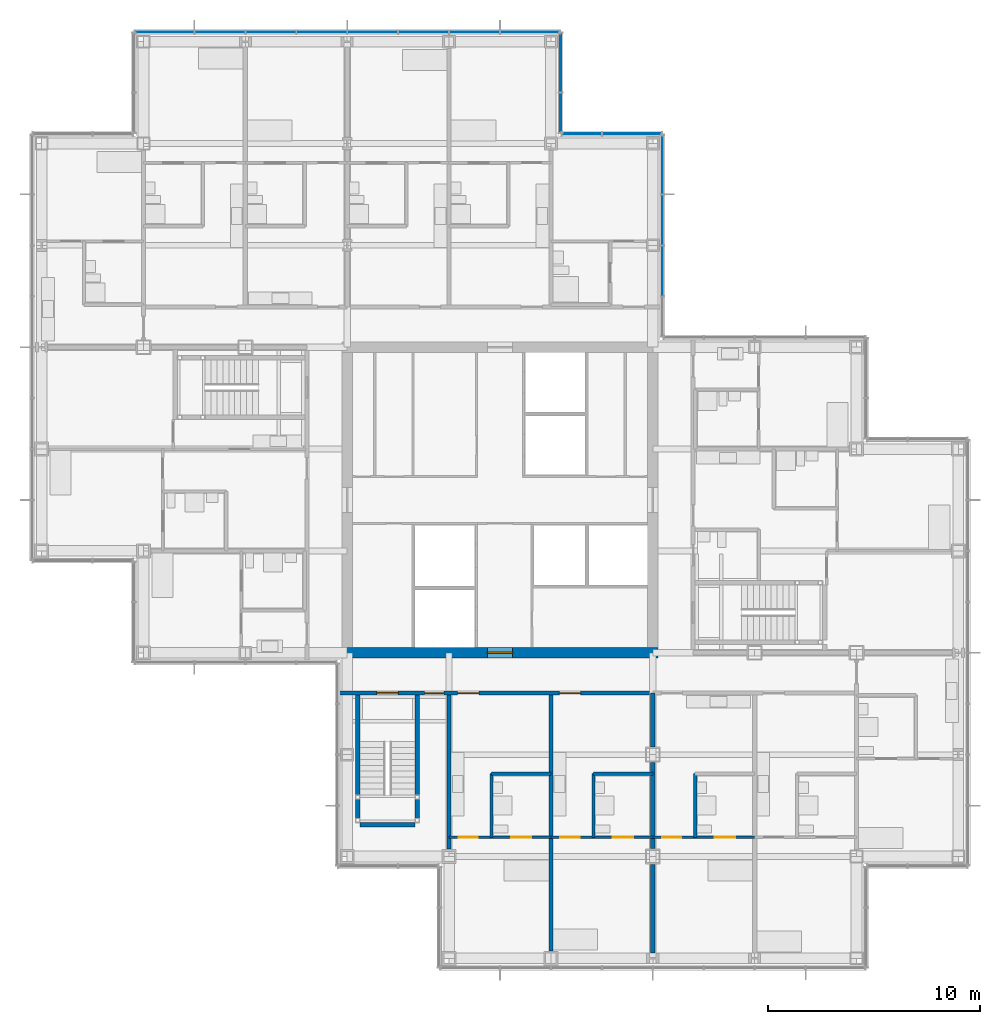
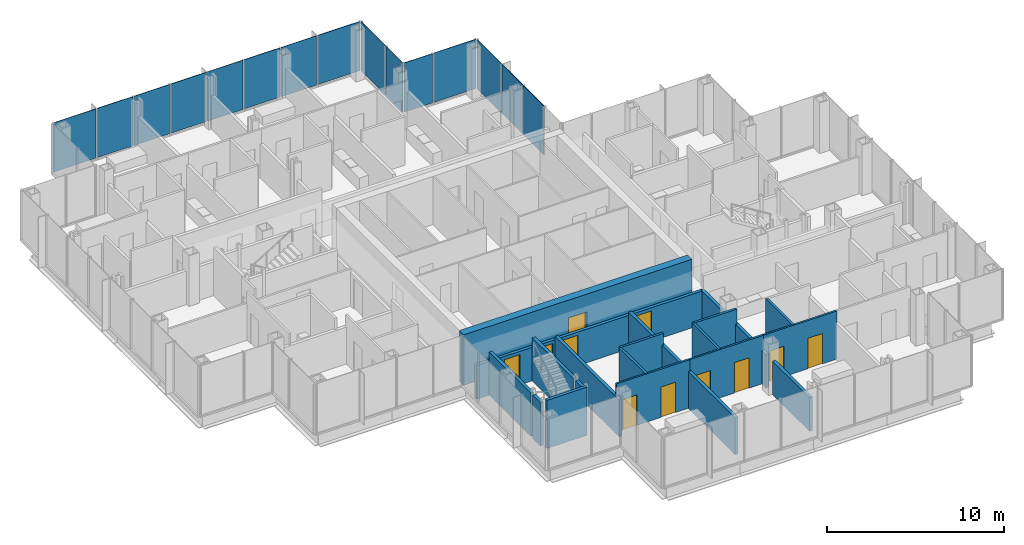
# One storey, part 13 of 20: 20 walls, 15 plates, 11 doors, 11 openings, 4 elements without a shape of their own.
"""IFC4 building model written with IfcOpenShell, lengths in metres."""

from ifc_helpers import new_model, si_unit, direction, frame, frame_2d, origin, origin_2d, place, context, subcontext, project, spatial, rectangle, extrude, material, layer, layer_set, type_object, element, fill, aggregate, save


model = new_model("IFC4")

# Units and contexts
model_context = context("Model", 3, precision=1e-05, world=origin(), true_north=direction((0.0, 1.0)))
body_context = subcontext(model_context, "Body", "Model", "MODEL_VIEW")
ifc_project = project(units=[si_unit("LENGTHUNIT", "METRE"), si_unit("AREAUNIT", "SQUARE_METRE"), si_unit("VOLUMEUNIT", "CUBIC_METRE"), si_unit("PLANEANGLEUNIT", "RADIAN"), si_unit("MASSUNIT", "GRAM", prefix="KILO")], contexts=[model_context])

# Site, building, storey
site_placement = place(None, origin())
site = spatial("IfcSite", under=ifc_project, at=site_placement, CompositionType="ELEMENT")
building_placement = place(site_placement, origin())
building = spatial("IfcBuilding", under=site, at=building_placement, Name="Kvirike Care Tower", CompositionType="ELEMENT")
storey_placement = place(building_placement, frame((0.0, 0.0, 91.0)))
storey = spatial("IfcBuildingStorey", under=building, at=storey_placement, Name="L24", CompositionType="ELEMENT", Elevation=91.0)

# Curtain wall, plates
ifc_material_1 = material(Name="Anodised aluminium stick system", Category="aluminium")
curtain_wall_type = type_object("IfcCurtainWallType", Name="CW-B STICK CURTAIN WALL", PredefinedType="NOTDEFINED", material=ifc_material_1)
curtain_wall_1_placement = place(storey_placement, origin())
curtain_wall_1 = element("IfcCurtainWall", 1, at=curtain_wall_1_placement, inside=storey, type_object=curtain_wall_type, Name="Curtain wall L24 face 5", PredefinedType="NOTDEFINED")
ifc_material_2 = material(Name="Tinted double glazed unit", Category="glass")
ifc_layer_1 = layer(ifc_material_2, 0.035888671875)
ifc_layer_set_1 = layer_set([ifc_layer_1], Name="TINTED VISION PANEL 36")
plate_type = type_object("IfcPlateType", Name="TINTED VISION PANEL 36", PredefinedType="CURTAIN_PANEL", material=ifc_layer_set_1)
plate_1_placement = place(storey_placement, frame((29.260009765625, 46.800048828125, 0.10009765625), z_axis=(0.0, 0.0, 1.0), x_axis=(0.0, 1.0, 0.0)))
plate_1 = element("IfcPlate", 2, at=plate_1_placement, type_object=plate_type, Name="CW-B panel L24 face 5.2", PredefinedType="CURTAIN_PANEL", context=body_context, shape_type="SweptSolid", body=[
    extrude(rectangle(XDim=2.3349609375, YDim=0.035888671875, at=origin_2d()), origin(), (0.0, 0.0, 1.0), 3.39990234375),
])
plate_2_placement = place(storey_placement, frame((29.260009765625, 49.199951171875, 0.10009765625), z_axis=(0.0, 0.0, 1.0), x_axis=(0.0, 1.0, 0.0)))
plate_2 = element("IfcPlate", 3, at=plate_2_placement, type_object=plate_type, Name="CW-B panel L24 face 5.3", PredefinedType="CURTAIN_PANEL", context=body_context, shape_type="SweptSolid", body=[
    extrude(rectangle(XDim=2.3349609375, YDim=0.035888671875, at=origin_2d()), origin(), (0.0, 0.0, 1.0), 3.39990234375),
])
plate_3_placement = place(storey_placement, frame((29.260009765625, 51.813720703125, 0.10009765625), z_axis=(0.0, 0.0, 1.0), x_axis=(0.0, 1.0, 0.0)))
plate_3 = element("IfcPlate", 4, at=plate_3_placement, type_object=plate_type, Name="CW-B panel L24 face 5.4", PredefinedType="CURTAIN_PANEL", context=body_context, shape_type="SweptSolid", body=[
    extrude(rectangle(XDim=2.762451171875, YDim=0.035888671875, at=origin_2d()), origin(), (0.0, 0.0, 1.0), 3.39990234375),
])
aggregate(curtain_wall_1, [plate_1, plate_2, plate_3])

curtain_wall_2_placement = place(storey_placement, origin())
curtain_wall_2 = element("IfcCurtainWall", 5, at=curtain_wall_2_placement, inside=storey, type_object=curtain_wall_type, Name="Curtain wall L24 face 6", PredefinedType="NOTDEFINED")
plate_4_placement = place(storey_placement, frame((27.813720703125, 53.260009765625, 0.10009765625), z_axis=(0.0, 0.0, 1.0), x_axis=(-1.0, 0.0, 0.0)))
plate_4 = element("IfcPlate", 6, at=plate_4_placement, type_object=plate_type, Name="CW-B panel L24 face 6.1", PredefinedType="CURTAIN_PANEL", context=body_context, shape_type="SweptSolid", body=[
    extrude(rectangle(XDim=2.762451171875, YDim=0.035888671875, at=origin_2d()), origin(), (0.0, 0.0, 1.0), 3.39990234375),
])
plate_5_placement = place(storey_placement, frame((25.4462890625, 53.260009765625, 0.10009765625), z_axis=(0.0, 0.0, 1.0), x_axis=(-1.0, 0.0, 0.0)))
plate_5 = element("IfcPlate", 7, at=plate_5_placement, type_object=plate_type, Name="CW-B panel L24 face 6.2", PredefinedType="CURTAIN_PANEL", context=body_context, shape_type="SweptSolid", body=[
    extrude(rectangle(XDim=1.842529296875, YDim=0.035888671875, at=origin_2d()), origin(), (0.0, 0.0, 1.0), 3.39990234375),
])
aggregate(curtain_wall_2, [plate_4, plate_5])

curtain_wall_3_placement = place(storey_placement, origin())
curtain_wall_3 = element("IfcCurtainWall", 8, at=curtain_wall_3_placement, inside=storey, type_object=curtain_wall_type, Name="Curtain wall L24 face 7", PredefinedType="NOTDEFINED")
plate_6_placement = place(storey_placement, frame((24.4599609375, 54.246337890625, 0.10009765625), z_axis=(0.0, 0.0, 1.0), x_axis=(0.0, 1.0, 0.0)))
plate_6 = element("IfcPlate", 9, at=plate_6_placement, type_object=plate_type, Name="CW-B panel L24 face 7.1", PredefinedType="CURTAIN_PANEL", context=body_context, shape_type="SweptSolid", body=[
    extrude(rectangle(XDim=1.842529296875, YDim=0.035888671875, at=origin_2d()), origin(), (0.0, 0.0, 1.0), 3.39990234375),
])
plate_7_placement = place(storey_placement, frame((24.4599609375, 56.61376953125, 0.10009765625), z_axis=(0.0, 0.0, 1.0), x_axis=(0.0, 1.0, 0.0)))
plate_7 = element("IfcPlate", 10, at=plate_7_placement, type_object=plate_type, Name="CW-B panel L24 face 7.2", PredefinedType="CURTAIN_PANEL", context=body_context, shape_type="SweptSolid", body=[
    extrude(rectangle(XDim=2.762451171875, YDim=0.035888671875, at=origin_2d()), origin(), (0.0, 0.0, 1.0), 3.39990234375),
])
aggregate(curtain_wall_3, [plate_6, plate_7])

curtain_wall_4_placement = place(storey_placement, origin())
curtain_wall_4 = element("IfcCurtainWall", 11, at=curtain_wall_4_placement, inside=storey, type_object=curtain_wall_type, Name="Curtain wall L24 face 8", PredefinedType="NOTDEFINED")
plate_8_placement = place(storey_placement, frame((23.013671875, 58.06005859375, 0.10009765625), z_axis=(0.0, 0.0, 1.0), x_axis=(-1.0, 0.0, 0.0)))
plate_8 = element("IfcPlate", 12, at=plate_8_placement, type_object=plate_type, Name="CW-B panel L24 face 8.1", PredefinedType="CURTAIN_PANEL", context=body_context, shape_type="SweptSolid", body=[
    extrude(rectangle(XDim=2.762451171875, YDim=0.035888671875, at=origin_2d()), origin(), (0.0, 0.0, 1.0), 3.39990234375),
])
plate_9_placement = place(storey_placement, frame((20.39990234375, 58.06005859375, 0.10009765625), z_axis=(0.0, 0.0, 1.0), x_axis=(-1.0, 0.0, 0.0)))
plate_9 = element("IfcPlate", 13, at=plate_9_placement, type_object=plate_type, Name="CW-B panel L24 face 8.2", PredefinedType="CURTAIN_PANEL", context=body_context, shape_type="SweptSolid", body=[
    extrude(rectangle(XDim=2.3349609375, YDim=0.035888671875, at=origin_2d()), origin(), (0.0, 0.0, 1.0), 3.39990234375),
])
plate_10_placement = place(storey_placement, frame((18.0, 58.06005859375, 0.10009765625), z_axis=(0.0, 0.0, 1.0), x_axis=(-1.0, 0.0, 0.0)))
plate_10 = element("IfcPlate", 14, at=plate_10_placement, type_object=plate_type, Name="CW-B panel L24 face 8.3", PredefinedType="CURTAIN_PANEL", context=body_context, shape_type="SweptSolid", body=[
    extrude(rectangle(XDim=2.3349609375, YDim=0.035888671875, at=origin_2d()), origin(), (0.0, 0.0, 1.0), 3.39990234375),
])
plate_11_placement = place(storey_placement, frame((15.60009765625, 58.06005859375, 0.10009765625), z_axis=(0.0, 0.0, 1.0), x_axis=(-1.0, 0.0, 0.0)))
plate_11 = element("IfcPlate", 15, at=plate_11_placement, type_object=plate_type, Name="CW-B panel L24 face 8.4", PredefinedType="CURTAIN_PANEL", context=body_context, shape_type="SweptSolid", body=[
    extrude(rectangle(XDim=2.3349609375, YDim=0.035888671875, at=origin_2d()), origin(), (0.0, 0.0, 1.0), 3.39990234375),
])
plate_12_placement = place(storey_placement, frame((13.199951171875, 58.06005859375, 0.10009765625), z_axis=(0.0, 0.0, 1.0), x_axis=(-1.0, 0.0, 0.0)))
plate_12 = element("IfcPlate", 16, at=plate_12_placement, type_object=plate_type, Name="CW-B panel L24 face 8.5", PredefinedType="CURTAIN_PANEL", context=body_context, shape_type="SweptSolid", body=[
    extrude(rectangle(XDim=2.3349609375, YDim=0.035888671875, at=origin_2d()), origin(), (0.0, 0.0, 1.0), 3.39990234375),
])
plate_13_placement = place(storey_placement, frame((10.800048828125, 58.06005859375, 0.10009765625), z_axis=(0.0, 0.0, 1.0), x_axis=(-1.0, 0.0, 0.0)))
plate_13 = element("IfcPlate", 17, at=plate_13_placement, type_object=plate_type, Name="CW-B panel L24 face 8.6", PredefinedType="CURTAIN_PANEL", context=body_context, shape_type="SweptSolid", body=[
    extrude(rectangle(XDim=2.3349609375, YDim=0.035888671875, at=origin_2d()), origin(), (0.0, 0.0, 1.0), 3.39990234375),
])
plate_14_placement = place(storey_placement, frame((8.39990234375, 58.06005859375, 0.10009765625), z_axis=(0.0, 0.0, 1.0), x_axis=(-1.0, 0.0, 0.0)))
plate_14 = element("IfcPlate", 18, at=plate_14_placement, type_object=plate_type, Name="CW-B panel L24 face 8.7", PredefinedType="CURTAIN_PANEL", context=body_context, shape_type="SweptSolid", body=[
    extrude(rectangle(XDim=2.3349609375, YDim=0.035888671875, at=origin_2d()), origin(), (0.0, 0.0, 1.0), 3.39990234375),
])
plate_15_placement = place(storey_placement, frame((5.7861328125, 58.06005859375, 0.10009765625), z_axis=(0.0, 0.0, 1.0), x_axis=(-1.0, 0.0, 0.0)))
plate_15 = element("IfcPlate", 19, at=plate_15_placement, type_object=plate_type, Name="CW-B panel L24 face 8.8", PredefinedType="CURTAIN_PANEL", context=body_context, shape_type="SweptSolid", body=[
    extrude(rectangle(XDim=2.762451171875, YDim=0.035888671875, at=origin_2d()), origin(), (0.0, 0.0, 1.0), 3.39990234375),
])
aggregate(curtain_wall_4, [plate_8, plate_9, plate_10, plate_11, plate_12, plate_13, plate_14, plate_15])

# Walls
ifc_material_3 = material(Name="Moisture-resistant board partition", Category="gypsum")
ifc_layer_2 = layer(ifc_material_3, 0.14990234375)
ifc_layer_set_2 = layer_set([ifc_layer_2], Name="BATHROOM WALL 150")
wall_type_1 = type_object("IfcWallType", Name="BATHROOM WALL 150", PredefinedType="PARTITIONING", material=ifc_layer_set_2)
wall_1_placement = place(storey_placement, frame((21.199951171875, 20.10009765625, 0.0), z_axis=(0.0, 0.0, 1.0), x_axis=(0.0, 1.0, 0.0)))
element("IfcWall", 20, at=wall_1_placement, inside=storey, type_object=wall_type_1, Name="Bathroom Wall 150 L24", PredefinedType="PARTITIONING", context=body_context, shape_type="SweptSolid", body=[
    extrude(rectangle(XDim=3.0, YDim=0.14990234375, at=frame_2d((1.5, 0.0))), origin(), (0.0, 0.0, 1.0), 3.330078125),
])
wall_2_placement = place(storey_placement, frame((21.199951171875, 23.10009765625, 0.0), z_axis=(0.0, 0.0, 1.0), x_axis=(1.0, 0.0, 0.0)))
element("IfcWall", 21, at=wall_2_placement, inside=storey, type_object=wall_type_1, Name="Bathroom Wall 150 L24", PredefinedType="PARTITIONING", context=body_context, shape_type="SweptSolid", body=[
    extrude(rectangle(XDim=2.800048828125, YDim=0.14990234375, at=frame_2d((1.39990234375, 0.0))), origin(), (0.0, 0.0, 1.0), 3.330078125),
])
wall_3_placement = place(storey_placement, frame((26.0, 20.10009765625, 0.0), z_axis=(0.0, 0.0, 1.0), x_axis=(0.0, 1.0, 0.0)))
element("IfcWall", 22, at=wall_3_placement, inside=storey, type_object=wall_type_1, Name="Bathroom Wall 150 L24", PredefinedType="PARTITIONING", context=body_context, shape_type="SweptSolid", body=[
    extrude(rectangle(XDim=3.0, YDim=0.14990234375, at=frame_2d((1.5, 0.0))), origin(), (0.0, 0.0, 1.0), 3.330078125),
])
wall_4_placement = place(storey_placement, frame((26.0, 23.10009765625, 0.0), z_axis=(0.0, 0.0, 1.0), x_axis=(1.0, 0.0, 0.0)))
element("IfcWall", 23, at=wall_4_placement, inside=storey, type_object=wall_type_1, Name="Bathroom Wall 150 L24", PredefinedType="PARTITIONING", context=body_context, shape_type="SweptSolid", body=[
    extrude(rectangle(XDim=2.800048828125, YDim=0.14990234375, at=frame_2d((1.39990234375, 0.0))), origin(), (0.0, 0.0, 1.0), 3.330078125),
])
wall_5_placement = place(storey_placement, frame((30.800048828125, 20.10009765625, 0.0), z_axis=(0.0, 0.0, 1.0), x_axis=(0.0, 1.0, 0.0)))
element("IfcWall", 24, at=wall_5_placement, inside=storey, type_object=wall_type_1, Name="Bathroom Wall 150 L24", PredefinedType="PARTITIONING", context=body_context, shape_type="SweptSolid", body=[
    extrude(rectangle(XDim=3.0, YDim=0.14990234375, at=frame_2d((1.5, 0.0))), origin(), (0.0, 0.0, 1.0), 3.330078125),
])

# Wall, opening, door
ifc_material_4 = material(Name="Concrete C50/60", Category="concrete")
ifc_layer_3 = layer(ifc_material_4, 0.5)
ifc_layer_set_3 = layer_set([ifc_layer_3], Name="CORE WALL 500 C50-60")
wall_type_2 = type_object("IfcWallType", Name="CORE WALL 500 C50-60", PredefinedType="SHEAR", material=ifc_layer_set_3)
wall_6_placement = place(storey_placement, frame((14.14990234375, 28.800048828125, -0.169921875), z_axis=(0.0, 0.0, 1.0), x_axis=(1.0, 0.0, 0.0)))
wall_6 = element("IfcWall", 25, at=wall_6_placement, inside=storey, type_object=wall_type_2, Name="Core wall S L24", PredefinedType="SHEAR", context=body_context, shape_type="SweptSolid", body=[
    extrude(rectangle(XDim=14.900146484375, YDim=0.5, at=frame_2d((7.4501953125, 0.0))), origin(), (0.0, 0.0, 1.0), 3.5),
])
opening_1_placement = place(wall_6_placement, frame((6.85009765625, 0.0, 0.169921875)))
opening_1 = element("IfcOpeningElement", 26, at=opening_1_placement, cuts=wall_6, Name="Opening 24-066", PredefinedType="OPENING", context=body_context, shape_type="SweptSolid", body=[
    extrude(rectangle(XDim=1.199951171875, YDim=2.10009765625, at=frame_2d((0.60009765625, 1.050048828125))), frame((0.0, 0.260498046875, 0.0), z_axis=(0.0, -1.0, 0.0), x_axis=(1.0, 0.0, 0.0)), (0.0, 0.0, 1.0), 0.52099609375),
])
ifc_material_5 = material(Name="Timber door set", Category="wood")
door_type_1 = type_object("IfcDoorType", Name="CORE DOOR 1200", OperationType="SINGLE_SWING_LEFT", PredefinedType="DOOR", material=ifc_material_5)
door_1_placement = place(opening_1_placement, origin())
door_1 = element("IfcDoor", 27, at=door_1_placement, inside=storey, type_object=door_type_1, Name="Core door S L24", OperationType="SINGLE_SWING_LEFT", OverallHeight=2.10009765625, OverallWidth=1.199951171875, PredefinedType="DOOR", context=body_context, shape_type="SweptSolid", body=[
    extrude(rectangle(XDim=1.199951171875, YDim=2.10009765625, at=frame_2d((0.60009765625, 1.050048828125))), frame((0.0, 0.02685546875, 0.0), z_axis=(0.0, -1.0, 0.0), x_axis=(1.0, 0.0, 0.0)), (0.0, 0.0, 1.0), 0.053955078125),
])
fill(opening_1, door_1)

# Wall, openings, doors
ifc_material_6 = material(Name="Plasterboard corridor wall", Category="gypsum")
ifc_layer_4 = layer(ifc_material_6, 0.199951171875)
ifc_layer_set_4 = layer_set([ifc_layer_4], Name="CORRIDOR WALL 200")
wall_type_3 = type_object("IfcWallType", Name="CORRIDOR WALL 200", PredefinedType="PARTITIONING", material=ifc_layer_set_4)
wall_7_placement = place(storey_placement, frame((13.9599609375, 26.89990234375, 0.0), z_axis=(0.0, 0.0, 1.0), x_axis=(1.0, 0.0, 0.0)))
wall_7 = element("IfcWall", 28, at=wall_7_placement, inside=storey, type_object=wall_type_3, Name="Corridor Wall 200 L24", PredefinedType="PARTITIONING", context=body_context, shape_type="SweptSolid", body=[
    extrude(rectangle(XDim=14.840087890625, YDim=0.199951171875, at=frame_2d((7.419921875, 0.0))), origin(), (0.0, 0.0, 1.0), 2.320068359375),
])
opening_2_placement = place(wall_7_placement, frame((1.840087890625, 0.0, 0.0)))
opening_2 = element("IfcOpeningElement", 29, at=opening_2_placement, cuts=wall_7, Name="Opening 24-023", PredefinedType="OPENING", context=body_context, shape_type="SweptSolid", body=[
    extrude(rectangle(XDim=1.0, YDim=2.10009765625, at=frame_2d((0.5, 1.050048828125))), frame((0.0, 0.110595703125, 0.0), z_axis=(0.0, -1.0, 0.0), x_axis=(1.0, 0.0, 0.0)), (0.0, 0.0, 1.0), 0.220947265625),
])
opening_3_placement = place(wall_7_placement, frame((4.090087890625, 0.0, 0.0)))
opening_3 = element("IfcOpeningElement", 30, at=opening_3_placement, cuts=wall_7, Name="Opening 24-024", PredefinedType="OPENING", context=body_context, shape_type="SweptSolid", body=[
    extrude(rectangle(XDim=0.89990234375, YDim=2.10009765625, at=frame_2d((0.449951171875, 1.050048828125))), frame((0.0, 0.110595703125, 0.0), z_axis=(0.0, -1.0, 0.0), x_axis=(1.0, 0.0, 0.0)), (0.0, 0.0, 1.0), 0.220947265625),
])
opening_4_placement = place(wall_7_placement, frame((5.639892578125, 0.0, 0.0)))
opening_4 = element("IfcOpeningElement", 31, at=opening_4_placement, cuts=wall_7, Name="Opening 24-025", PredefinedType="OPENING", context=body_context, shape_type="SweptSolid", body=[
    extrude(rectangle(XDim=1.0, YDim=2.10009765625, at=frame_2d((0.5, 1.050048828125))), frame((0.0, 0.110595703125, 0.0), z_axis=(0.0, -1.0, 0.0), x_axis=(1.0, 0.0, 0.0)), (0.0, 0.0, 1.0), 0.220947265625),
])
opening_5_placement = place(wall_7_placement, frame((10.43994140625, 0.0, 0.0)))
opening_5 = element("IfcOpeningElement", 32, at=opening_5_placement, cuts=wall_7, Name="Opening 24-026", PredefinedType="OPENING", context=body_context, shape_type="SweptSolid", body=[
    extrude(rectangle(XDim=1.0, YDim=2.10009765625, at=frame_2d((0.5, 1.050048828125))), frame((0.0, 0.110595703125, 0.0), z_axis=(0.0, -1.0, 0.0), x_axis=(1.0, 0.0, 0.0)), (0.0, 0.0, 1.0), 0.220947265625),
])
ifc_material_7 = material(Name="Timber door set", Category="wood")
door_type_2 = type_object("IfcDoorType", Name="FLAT ENTRANCE DOOR 1000", OperationType="SINGLE_SWING_LEFT", PredefinedType="DOOR", material=ifc_material_7)
door_2_placement = place(opening_4_placement, frame((1.0, 0.0, 0.0), z_axis=(0.0, 0.0, 1.0), x_axis=(-1.0, 0.0, 0.0)))
door_2 = element("IfcDoor", 33, at=door_2_placement, inside=storey, type_object=door_type_2, Name="Assisted living suite entrance", OperationType="SINGLE_SWING_LEFT", OverallHeight=2.10009765625, OverallWidth=1.0, PredefinedType="DOOR", context=body_context, shape_type="SweptSolid", body=[
    extrude(rectangle(XDim=1.0, YDim=2.10009765625, at=frame_2d((0.5, 1.050048828125))), frame((0.0, 0.02685546875, 0.0), z_axis=(0.0, -1.0, 0.0), x_axis=(1.0, 0.0, 0.0)), (0.0, 0.0, 1.0), 0.053955078125),
])
fill(opening_4, door_2)
door_3_placement = place(opening_5_placement, frame((1.0, 0.0, 0.0), z_axis=(0.0, 0.0, 1.0), x_axis=(-1.0, 0.0, 0.0)))
door_3 = element("IfcDoor", 34, at=door_3_placement, inside=storey, type_object=door_type_2, Name="Assisted living suite entrance", OperationType="SINGLE_SWING_LEFT", OverallHeight=2.10009765625, OverallWidth=1.0, PredefinedType="DOOR", context=body_context, shape_type="SweptSolid", body=[
    extrude(rectangle(XDim=1.0, YDim=2.10009765625, at=frame_2d((0.5, 1.050048828125))), frame((0.0, 0.02685546875, 0.0), z_axis=(0.0, -1.0, 0.0), x_axis=(1.0, 0.0, 0.0)), (0.0, 0.0, 1.0), 0.053955078125),
])
fill(opening_5, door_3)
ifc_material_8 = material(Name="Timber door set", Category="wood")
door_type_3 = type_object("IfcDoorType", Name="STAIR DOOR 1000", OperationType="SINGLE_SWING_LEFT", PredefinedType="DOOR", material=ifc_material_8)
door_4_placement = place(opening_2_placement, frame((1.0, 0.0, 0.0), z_axis=(0.0, 0.0, 1.0), x_axis=(-1.0, 0.0, 0.0)))
door_4 = element("IfcDoor", 35, at=door_4_placement, inside=storey, type_object=door_type_3, Name="Stair 5 door", OperationType="SINGLE_SWING_RIGHT", OverallHeight=2.10009765625, OverallWidth=1.0, PredefinedType="DOOR", context=body_context, shape_type="SweptSolid", body=[
    extrude(rectangle(XDim=1.0, YDim=2.10009765625, at=frame_2d((0.5, 1.050048828125))), frame((0.0, 0.031982421875, 0.0), z_axis=(0.0, -1.0, 0.0), x_axis=(1.0, 0.0, 0.0)), (0.0, 0.0, 1.0), 0.06396484375),
])
fill(opening_2, door_4)
ifc_material_9 = material(Name="Timber door set", Category="wood")
door_type_4 = type_object("IfcDoorType", Name="STORE DOOR 900", OperationType="SINGLE_SWING_LEFT", PredefinedType="DOOR", material=ifc_material_9)
door_5_placement = place(opening_3_placement, frame((0.89990234375, 0.0, 0.0), z_axis=(0.0, 0.0, 1.0), x_axis=(-1.0, 0.0, 0.0)))
door_5 = element("IfcDoor", 36, at=door_5_placement, inside=storey, type_object=door_type_4, Name="Housekeeping room door", OperationType="SINGLE_SWING_RIGHT", OverallHeight=2.10009765625, OverallWidth=0.89990234375, PredefinedType="DOOR", context=body_context, shape_type="SweptSolid", body=[
    extrude(rectangle(XDim=0.89990234375, YDim=2.10009765625, at=frame_2d((0.449951171875, 1.050048828125))), frame((0.0, 0.02685546875, 0.0), z_axis=(0.0, -1.0, 0.0), x_axis=(1.0, 0.0, 0.0)), (0.0, 0.0, 1.0), 0.053955078125),
])
fill(opening_3, door_5)

ifc_material_10 = material(Name="Plasterboard partition", Category="gypsum")
ifc_layer_5 = layer(ifc_material_10, 0.1201171875)
ifc_layer_set_5 = layer_set([ifc_layer_5], Name="PARTITION 120")
wall_type_4 = type_object("IfcWallType", Name="PARTITION 120", PredefinedType="PARTITIONING", material=ifc_layer_set_5)
wall_8_placement = place(storey_placement, frame((19.199951171875, 20.10009765625, 0.0), z_axis=(0.0, 0.0, 1.0), x_axis=(1.0, 0.0, 0.0)))
wall_8 = element("IfcWall", 37, at=wall_8_placement, inside=storey, type_object=wall_type_4, Name="Partition 120 L24", PredefinedType="PARTITIONING", context=body_context, shape_type="SweptSolid", body=[
    extrude(rectangle(XDim=4.800048828125, YDim=0.1201171875, at=frame_2d((2.39990234375, 0.0))), origin(), (0.0, 0.0, 1.0), 3.330078125),
])
opening_6_placement = place(wall_8_placement, frame((0.449951171875, 0.0, 0.0)))
opening_6 = element("IfcOpeningElement", 38, at=opening_6_placement, cuts=wall_8, Name="Opening 24-019", PredefinedType="OPENING", context=body_context, shape_type="SweptSolid", body=[
    extrude(rectangle(XDim=0.89990234375, YDim=2.10009765625, at=frame_2d((0.449951171875, 1.050048828125))), frame((0.0, 0.070556640625, 0.0), z_axis=(0.0, -1.0, 0.0), x_axis=(1.0, 0.0, 0.0)), (0.0, 0.0, 1.0), 0.14111328125),
])
opening_7_placement = place(wall_8_placement, frame((2.925048828125, 0.0, 0.0)))
opening_7 = element("IfcOpeningElement", 39, at=opening_7_placement, cuts=wall_8, Name="Opening 24-020", PredefinedType="OPENING", context=body_context, shape_type="SweptSolid", body=[
    extrude(rectangle(XDim=0.949951171875, YDim=2.10009765625, at=frame_2d((0.47509765625, 1.050048828125))), frame((0.0, 0.070556640625, 0.0), z_axis=(0.0, -1.0, 0.0), x_axis=(1.0, 0.0, 0.0)), (0.0, 0.0, 1.0), 0.14111328125),
])
ifc_material_11 = material(Name="Timber door set", Category="wood")
door_type_5 = type_object("IfcDoorType", Name="EN-SUITE SLIDING DOOR 950", OperationType="SLIDING_TO_LEFT", PredefinedType="DOOR", material=ifc_material_11)
door_6_placement = place(opening_7_placement, origin())
door_6 = element("IfcDoor", 40, at=door_6_placement, inside=storey, type_object=door_type_5, Name="En-suite door", OperationType="SLIDING_TO_LEFT", OverallHeight=2.10009765625, OverallWidth=0.949951171875, PredefinedType="DOOR", context=body_context, shape_type="SweptSolid", body=[
    extrude(rectangle(XDim=0.949951171875, YDim=2.10009765625, at=frame_2d((0.47509765625, 1.050048828125))), frame((0.0, 0.02197265625, 0.0), z_axis=(0.0, -1.0, 0.0), x_axis=(1.0, 0.0, 0.0)), (0.0, 0.0, 1.0), 0.0439453125),
])
fill(opening_7, door_6)
ifc_material_12 = material(Name="Timber door set", Category="wood")
door_type_6 = type_object("IfcDoorType", Name="INTERNAL DOOR 900", OperationType="SINGLE_SWING_LEFT", PredefinedType="DOOR", material=ifc_material_12)
door_7_placement = place(opening_6_placement, origin())
door_7 = element("IfcDoor", 41, at=door_7_placement, inside=storey, type_object=door_type_6, Name="Assisted living suite door", OperationType="SINGLE_SWING_RIGHT", OverallHeight=2.10009765625, OverallWidth=0.89990234375, PredefinedType="DOOR", context=body_context, shape_type="SweptSolid", body=[
    extrude(rectangle(XDim=0.89990234375, YDim=2.10009765625, at=frame_2d((0.449951171875, 1.050048828125))), frame((0.0, 0.02197265625, 0.0), z_axis=(0.0, -1.0, 0.0), x_axis=(1.0, 0.0, 0.0)), (0.0, 0.0, 1.0), 0.0439453125),
])
fill(opening_6, door_7)

wall_9_placement = place(storey_placement, frame((24.0, 20.10009765625, 0.0), z_axis=(0.0, 0.0, 1.0), x_axis=(1.0, 0.0, 0.0)))
wall_9 = element("IfcWall", 42, at=wall_9_placement, inside=storey, type_object=wall_type_4, Name="Partition 120 L24", PredefinedType="PARTITIONING", context=body_context, shape_type="SweptSolid", body=[
    extrude(rectangle(XDim=4.800048828125, YDim=0.1201171875, at=frame_2d((2.39990234375, 0.0))), origin(), (0.0, 0.0, 1.0), 3.330078125),
])
opening_8_placement = place(wall_9_placement, frame((0.449951171875, 0.0, 0.0)))
opening_8 = element("IfcOpeningElement", 43, at=opening_8_placement, cuts=wall_9, Name="Opening 24-021", PredefinedType="OPENING", context=body_context, shape_type="SweptSolid", body=[
    extrude(rectangle(XDim=0.89990234375, YDim=2.10009765625, at=frame_2d((0.449951171875, 1.050048828125))), frame((0.0, 0.070556640625, 0.0), z_axis=(0.0, -1.0, 0.0), x_axis=(1.0, 0.0, 0.0)), (0.0, 0.0, 1.0), 0.14111328125),
])
opening_9_placement = place(wall_9_placement, frame((2.925048828125, 0.0, 0.0)))
opening_9 = element("IfcOpeningElement", 44, at=opening_9_placement, cuts=wall_9, Name="Opening 24-022", PredefinedType="OPENING", context=body_context, shape_type="SweptSolid", body=[
    extrude(rectangle(XDim=0.949951171875, YDim=2.10009765625, at=frame_2d((0.47509765625, 1.050048828125))), frame((0.0, 0.070556640625, 0.0), z_axis=(0.0, -1.0, 0.0), x_axis=(1.0, 0.0, 0.0)), (0.0, 0.0, 1.0), 0.14111328125),
])
door_8_placement = place(opening_9_placement, origin())
door_8 = element("IfcDoor", 45, at=door_8_placement, inside=storey, type_object=door_type_5, Name="En-suite door", OperationType="SLIDING_TO_LEFT", OverallHeight=2.10009765625, OverallWidth=0.949951171875, PredefinedType="DOOR", context=body_context, shape_type="SweptSolid", body=[
    extrude(rectangle(XDim=0.949951171875, YDim=2.10009765625, at=frame_2d((0.47509765625, 1.050048828125))), frame((0.0, 0.02197265625, 0.0), z_axis=(0.0, -1.0, 0.0), x_axis=(1.0, 0.0, 0.0)), (0.0, 0.0, 1.0), 0.0439453125),
])
fill(opening_9, door_8)
door_9_placement = place(opening_8_placement, origin())
door_9 = element("IfcDoor", 46, at=door_9_placement, inside=storey, type_object=door_type_6, Name="Assisted living suite door", OperationType="SINGLE_SWING_RIGHT", OverallHeight=2.10009765625, OverallWidth=0.89990234375, PredefinedType="DOOR", context=body_context, shape_type="SweptSolid", body=[
    extrude(rectangle(XDim=0.89990234375, YDim=2.10009765625, at=frame_2d((0.449951171875, 1.050048828125))), frame((0.0, 0.02197265625, 0.0), z_axis=(0.0, -1.0, 0.0), x_axis=(1.0, 0.0, 0.0)), (0.0, 0.0, 1.0), 0.0439453125),
])
fill(opening_8, door_9)

wall_10_placement = place(storey_placement, frame((28.800048828125, 20.10009765625, 0.0), z_axis=(0.0, 0.0, 1.0), x_axis=(1.0, 0.0, 0.0)))
wall_10 = element("IfcWall", 47, at=wall_10_placement, inside=storey, type_object=wall_type_4, Name="Partition 120 L24", PredefinedType="PARTITIONING", context=body_context, shape_type="SweptSolid", body=[
    extrude(rectangle(XDim=4.800048828125, YDim=0.1201171875, at=frame_2d((2.39990234375, 0.0))), origin(), (0.0, 0.0, 1.0), 3.330078125),
])
opening_10_placement = place(wall_10_placement, frame((0.449951171875, 0.0, 0.0)))
opening_10 = element("IfcOpeningElement", 48, at=opening_10_placement, cuts=wall_10, Name="Opening 24-036", PredefinedType="OPENING", context=body_context, shape_type="SweptSolid", body=[
    extrude(rectangle(XDim=0.89990234375, YDim=2.10009765625, at=frame_2d((0.449951171875, 1.050048828125))), frame((0.0, 0.070556640625, 0.0), z_axis=(0.0, -1.0, 0.0), x_axis=(1.0, 0.0, 0.0)), (0.0, 0.0, 1.0), 0.14111328125),
])
opening_11_placement = place(wall_10_placement, frame((2.925048828125, 0.0, 0.0)))
opening_11 = element("IfcOpeningElement", 49, at=opening_11_placement, cuts=wall_10, Name="Opening 24-037", PredefinedType="OPENING", context=body_context, shape_type="SweptSolid", body=[
    extrude(rectangle(XDim=0.949951171875, YDim=2.10009765625, at=frame_2d((0.47509765625, 1.050048828125))), frame((0.0, 0.070556640625, 0.0), z_axis=(0.0, -1.0, 0.0), x_axis=(1.0, 0.0, 0.0)), (0.0, 0.0, 1.0), 0.14111328125),
])
door_10_placement = place(opening_11_placement, origin())
door_10 = element("IfcDoor", 50, at=door_10_placement, inside=storey, type_object=door_type_5, Name="En-suite door", OperationType="SLIDING_TO_RIGHT", OverallHeight=2.10009765625, OverallWidth=0.949951171875, PredefinedType="DOOR", context=body_context, shape_type="SweptSolid", body=[
    extrude(rectangle(XDim=0.949951171875, YDim=2.10009765625, at=frame_2d((0.47509765625, 1.050048828125))), frame((0.0, 0.02197265625, 0.0), z_axis=(0.0, -1.0, 0.0), x_axis=(1.0, 0.0, 0.0)), (0.0, 0.0, 1.0), 0.0439453125),
])
fill(opening_11, door_10)
door_11_placement = place(opening_10_placement, origin())
door_11 = element("IfcDoor", 51, at=door_11_placement, inside=storey, type_object=door_type_6, Name="Assisted living suite door", OperationType="SINGLE_SWING_RIGHT", OverallHeight=2.10009765625, OverallWidth=0.89990234375, PredefinedType="DOOR", context=body_context, shape_type="SweptSolid", body=[
    extrude(rectangle(XDim=0.89990234375, YDim=2.10009765625, at=frame_2d((0.449951171875, 1.050048828125))), frame((0.0, 0.02197265625, 0.0), z_axis=(0.0, -1.0, 0.0), x_axis=(1.0, 0.0, 0.0)), (0.0, 0.0, 1.0), 0.0439453125),
])
fill(opening_10, door_11)

# Walls
ifc_material_13 = material(Name="Plasterboard party wall", Category="gypsum")
ifc_layer_6 = layer(ifc_material_13, 0.199951171875)
ifc_layer_set_6 = layer_set([ifc_layer_6], Name="PARTY WALL 200")
wall_type_5 = type_object("IfcWallType", Name="PARTY WALL 200", PredefinedType="PARTITIONING", material=ifc_layer_set_6)
wall_11_placement = place(storey_placement, frame((19.199951171875, 19.544921875, 0.0), z_axis=(0.0, 0.0, 1.0), x_axis=(0.0, 1.0, 0.0)))
element("IfcWall", 52, at=wall_11_placement, inside=storey, type_object=wall_type_5, Name="Party Wall 200 L24", PredefinedType="PARTITIONING", context=body_context, shape_type="SweptSolid", body=[
    extrude(rectangle(XDim=7.255126953125, YDim=0.199951171875, at=frame_2d((3.62744140625, 0.0))), origin(), (0.0, 0.0, 1.0), 2.550048828125),
])
wall_12_placement = place(storey_placement, frame((24.0, 14.7451171875, 0.0), z_axis=(0.0, 0.0, 1.0), x_axis=(0.0, 1.0, 0.0)))
element("IfcWall", 53, at=wall_12_placement, inside=storey, type_object=wall_type_5, Name="Party Wall 200 L24", PredefinedType="PARTITIONING", context=body_context, shape_type="SweptSolid", body=[
    extrude(rectangle(XDim=12.054931640625, YDim=0.199951171875, at=frame_2d((6.02734375, 0.0))), origin(), (0.0, 0.0, 1.0), 2.550048828125),
])
wall_13_placement = place(storey_placement, frame((28.800048828125, 14.64697265625, 0.0), z_axis=(0.0, 0.0, 1.0), x_axis=(0.0, 1.0, 0.0)))
element("IfcWall", 54, at=wall_13_placement, inside=storey, type_object=wall_type_5, Name="Party Wall 200 L24", PredefinedType="PARTITIONING", context=body_context, shape_type="SweptSolid", body=[
    extrude(rectangle(XDim=4.18310546875, YDim=0.199951171875, at=frame_2d((2.091552734375, 0.0))), origin(), (0.0, 0.0, 1.0), 2.320068359375),
])
wall_14_placement = place(storey_placement, frame((28.800048828125, 19.570068359375, 0.0), z_axis=(0.0, 0.0, 1.0), x_axis=(0.0, 1.0, 0.0)))
element("IfcWall", 55, at=wall_14_placement, inside=storey, type_object=wall_type_5, Name="Party Wall 200 L24", PredefinedType="PARTITIONING", context=body_context, shape_type="SweptSolid", body=[
    extrude(rectangle(XDim=4.059814453125, YDim=0.199951171875, at=frame_2d((2.02978515625, 0.0))), origin(), (0.0, 0.0, 1.0), 2.320068359375),
])
wall_15_placement = place(storey_placement, frame((28.800048828125, 24.3701171875, 0.0), z_axis=(0.0, 0.0, 1.0), x_axis=(0.0, 1.0, 0.0)))
element("IfcWall", 56, at=wall_15_placement, inside=storey, type_object=wall_type_5, Name="Party Wall 200 L24", PredefinedType="PARTITIONING", context=body_context, shape_type="SweptSolid", body=[
    extrude(rectangle(XDim=2.52978515625, YDim=0.199951171875, at=frame_2d((1.264892578125, 0.0))), origin(), (0.0, 0.0, 1.0), 2.320068359375),
])
ifc_material_14 = material(Name="Concrete C40/50", Category="concrete")
ifc_layer_7 = layer(ifc_material_14, 0.199951171875)
ifc_layer_set_7 = layer_set([ifc_layer_7], Name="STAIR WALL 200")
wall_type_6 = type_object("IfcWallType", Name="STAIR WALL 200", PredefinedType="SOLIDWALL", material=ifc_layer_set_7)
wall_16_placement = place(storey_placement, frame((14.89990234375, 21.0, 0.0), z_axis=(0.0, 0.0, 1.0), x_axis=(0.0, 1.0, 0.0)))
element("IfcWall", 57, at=wall_16_placement, inside=storey, type_object=wall_type_6, Name="Stair Wall 200 L24", PredefinedType="SOLIDWALL", context=body_context, shape_type="SweptSolid", body=[
    extrude(rectangle(XDim=0.89990234375, YDim=0.199951171875, at=frame_2d((0.449951171875, 0.0))), origin(), (0.0, 0.0, 1.0), 2.989990234375),
])
wall_17_placement = place(storey_placement, frame((14.89990234375, 22.10009765625, 0.0), z_axis=(0.0, 0.0, 1.0), x_axis=(0.0, 1.0, 0.0)))
element("IfcWall", 58, at=wall_17_placement, inside=storey, type_object=wall_type_6, Name="Stair Wall 200 L24", PredefinedType="SOLIDWALL", context=body_context, shape_type="SweptSolid", body=[
    extrude(rectangle(XDim=4.699951171875, YDim=0.199951171875, at=frame_2d((2.35009765625, 0.0))), origin(), (0.0, 0.0, 1.0), 2.989990234375),
])
wall_18_placement = place(storey_placement, frame((17.699951171875, 21.0, 0.0), z_axis=(0.0, 0.0, 1.0), x_axis=(0.0, 1.0, 0.0)))
element("IfcWall", 59, at=wall_18_placement, inside=storey, type_object=wall_type_6, Name="Stair Wall 200 L24", PredefinedType="SOLIDWALL", context=body_context, shape_type="SweptSolid", body=[
    extrude(rectangle(XDim=0.89990234375, YDim=0.199951171875, at=frame_2d((0.449951171875, 0.0))), origin(), (0.0, 0.0, 1.0), 2.989990234375),
])
wall_19_placement = place(storey_placement, frame((17.699951171875, 22.10009765625, 0.0), z_axis=(0.0, 0.0, 1.0), x_axis=(0.0, 1.0, 0.0)))
element("IfcWall", 60, at=wall_19_placement, inside=storey, type_object=wall_type_6, Name="Stair Wall 200 L24", PredefinedType="SOLIDWALL", context=body_context, shape_type="SweptSolid", body=[
    extrude(rectangle(XDim=4.699951171875, YDim=0.199951171875, at=frame_2d((2.35009765625, 0.0))), origin(), (0.0, 0.0, 1.0), 2.989990234375),
])
wall_20_placement = place(storey_placement, frame((15.0, 20.699951171875, 0.0), z_axis=(0.0, 0.0, 1.0), x_axis=(1.0, 0.0, 0.0)))
element("IfcWall", 61, at=wall_20_placement, inside=storey, type_object=wall_type_6, Name="Stair Wall 200 L24", PredefinedType="SOLIDWALL", context=body_context, shape_type="SweptSolid", body=[
    extrude(rectangle(XDim=2.60009765625, YDim=0.199951171875, at=frame_2d((1.300048828125, 0.0))), origin(), (0.0, 0.0, 1.0), 3.330078125),
])

save(model, "model.ifc")
